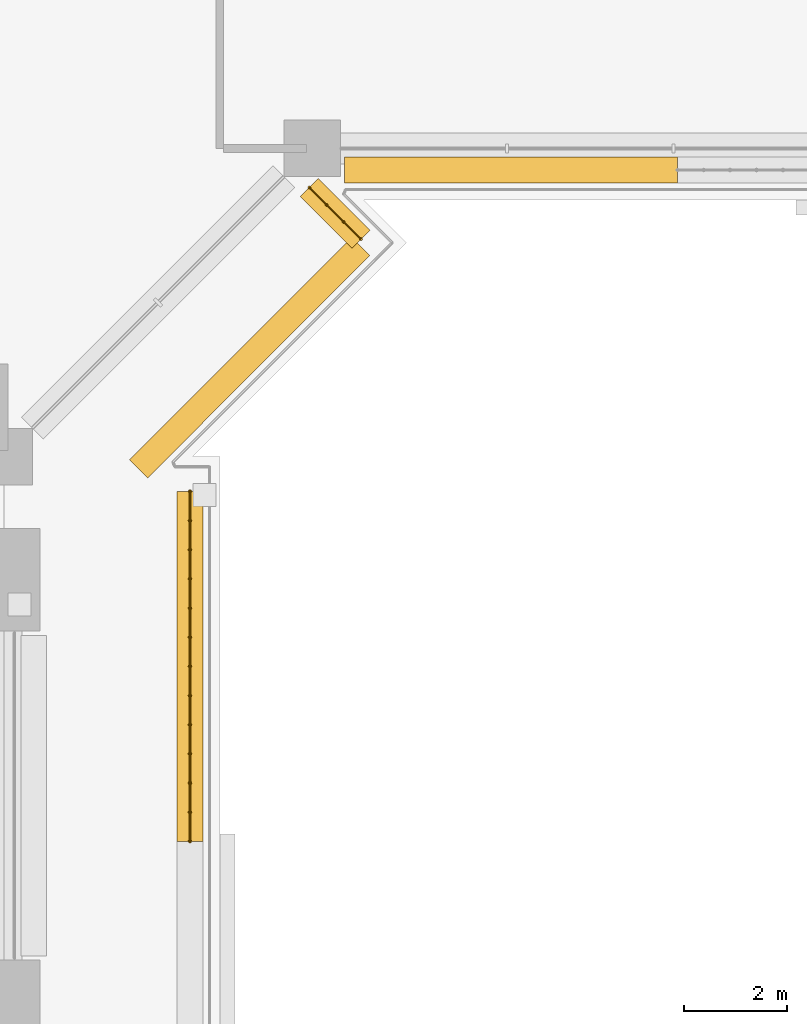
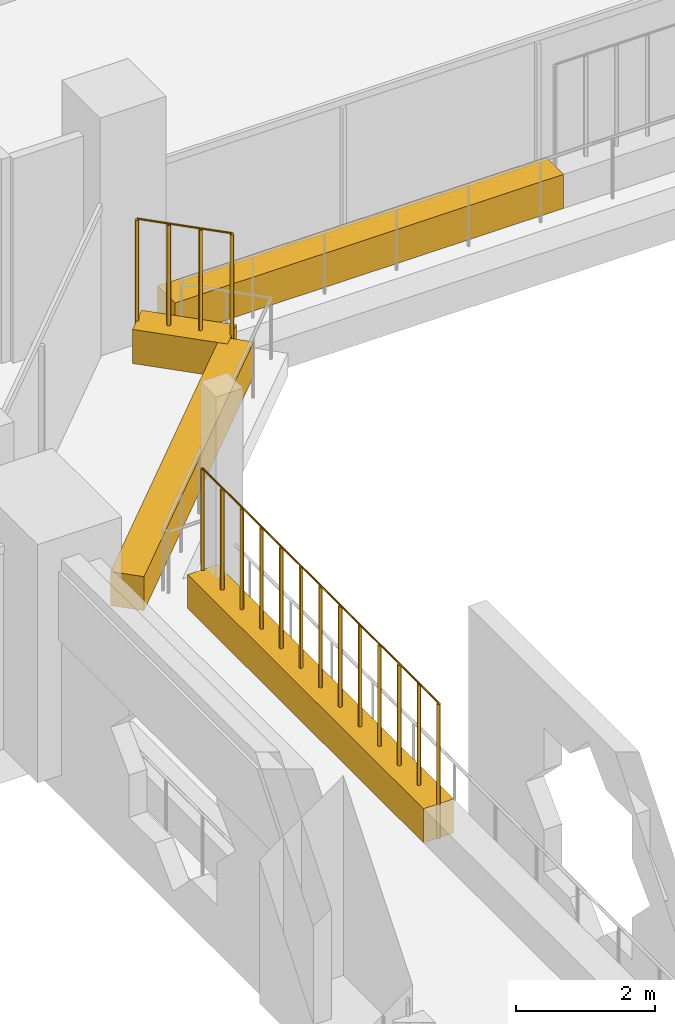
# One storey, part 23 of 27: 4 coverings, 2 railings.
"""IFC4 building model written with IfcOpenShell, lengths in metres."""

import ifcopenshell
import ifcopenshell.guid

model = None  # the IFC model being written
_history = None  # IfcOwnerHistory: only IFC2X3 demands one
_inside = {}  # id of a spatial element -> (the spatial element, [elements in it])
_under = {}  # id of a project, library or spatial element -> (it, [spatial elements below it])
_declared = {}  # id of a project -> (the project, [libraries it declares])
_typed = {}  # id of a type object -> (the type object, [elements of that type])
_made_of = {}  # id of a material, layer set ... -> (it, [elements and type objects made of it])


def new_model(schema):
    """Start an empty IFC model of exactly this schema.

    Asked for "IFC4X3", IfcOpenShell would pick the latest addendum, in which some entities
    have other attributes; the version numbers below select the first issue.
    IFC2X3 requires an IfcOwnerHistory on every rooted entity: one is made here for all.
    """
    global model, _history
    if schema == "IFC4X3":
        model = ifcopenshell.file(schema_version=(4, 3, 0, 0))
    else:
        model = ifcopenshell.file(schema=schema)
    _inside.clear()
    _under.clear()
    _declared.clear()
    _typed.clear()
    _made_of.clear()
    _history = None
    if model.schema == "IFC2X3":
        org = make("IfcOrganization", Name="unknown")
        user = make(
            "IfcPersonAndOrganization",
            ThePerson=make("IfcPerson", FamilyName="unknown"),
            TheOrganization=org,
        )
        app = make(
            "IfcApplication",
            ApplicationDeveloper=org,
            Version="unknown",
            ApplicationFullName="unknown",
            ApplicationIdentifier="unknown",
        )
        _history = make(
            "IfcOwnerHistory",
            OwningUser=user,
            OwningApplication=app,
            ChangeAction="ADDED",
            CreationDate=0,
        )
    return model


def make(cls, **values):
    """One entity of the class cls with the attributes given. An attribute that is None is left unset."""
    return model.create_entity(
        cls, **{name: value for name, value in values.items() if value is not None}
    )


def rooted(cls, **values):
    """An entity with a GlobalId (a new one), such as an element, a storey or a relation."""
    return make(cls, GlobalId=ifcopenshell.guid.new(), OwnerHistory=_history, **values)


def si_unit(unit_type, name, prefix=None):
    """IfcSIUnit, for example si_unit("LENGTHUNIT", "METRE", prefix="MILLI")."""
    return make("IfcSIUnit", UnitType=unit_type, Prefix=prefix, Name=name)


def assignment(units):
    """IfcUnitAssignment: the units of a project."""
    return None if units is None else make("IfcUnitAssignment", Units=units)


def point(xyz):
    """IfcCartesianPoint."""
    return None if xyz is None else make("IfcCartesianPoint", Coordinates=xyz)


def direction(xyz):
    """IfcDirection."""
    return None if xyz is None else make("IfcDirection", DirectionRatios=xyz)


def frame(location, z_axis=None, x_axis=None):
    """IfcAxis2Placement3D, a coordinate frame: its origin and axes. An axis left out is left unset."""
    return make(
        "IfcAxis2Placement3D",
        Location=point(location),
        Axis=direction(z_axis),
        RefDirection=direction(x_axis),
    )


def frame_2d(location, x_axis=None):
    """IfcAxis2Placement2D, a coordinate frame in the plane: its origin and x axis."""
    return make(
        "IfcAxis2Placement2D", Location=point(location), RefDirection=direction(x_axis)
    )


def origin():
    """The frame at (0, 0, 0) with its axes left unset."""
    return frame((0.0, 0.0, 0.0))


def origin_2d():
    """The frame at (0, 0) in the plane with its x axis left unset."""
    return frame_2d((0.0, 0.0))


def place(relative_to, where):
    """IfcLocalPlacement: puts the frame where relative to a parent placement (None: the world)."""
    return make(
        "IfcLocalPlacement", PlacementRelTo=relative_to, RelativePlacement=where
    )


def context(
    kind, dimensions, precision=None, world=None, true_north=None, identifier=None
):
    """IfcGeometricRepresentationContext, for example the 3D "Model" context."""
    return make(
        "IfcGeometricRepresentationContext",
        ContextIdentifier=identifier,
        ContextType=kind,
        CoordinateSpaceDimension=dimensions,
        Precision=precision,
        WorldCoordinateSystem=world,
        TrueNorth=true_north,
    )


def subcontext(parent, identifier, kind, view, scale=None):
    """IfcGeometricRepresentationSubContext, for example "Body" below "Model"."""
    return make(
        "IfcGeometricRepresentationSubContext",
        ContextIdentifier=identifier,
        ContextType=kind,
        ParentContext=parent,
        TargetScale=scale,
        TargetView=view,
    )


def project(units=None, contexts=None):
    """IfcProject with its units and contexts."""
    return rooted(
        "IfcProject",
        Name="project",
        RepresentationContexts=contexts,
        UnitsInContext=assignment(units),
    )


def spatial(cls, under=None, at=None, **own):
    """A site, building, storey or space (cls), placed at a placement, below another one or the project."""
    s = rooted(cls, ObjectPlacement=at, **own)
    if under is not None:
        _under.setdefault(under.id(), (under, []))[1].append(s)
    return s


def profile(cls, at=None, kind="AREA", **sizes):
    """A parametric profile (cls). Its sizes go by their IFC names, for example OverallWidth=200.0."""
    return make(cls, ProfileType=kind, Position=at, **sizes)


def rectangle(**sizes):
    """IfcRectangleProfileDef."""
    return profile("IfcRectangleProfileDef", **sizes)


def circle(**sizes):
    """IfcCircleProfileDef."""
    return profile("IfcCircleProfileDef", **sizes)


def extrude(swept, where, along, depth):
    """IfcExtrudedAreaSolid: the profile swept, set in the frame where, extruded along a direction by depth."""
    return make(
        "IfcExtrudedAreaSolid",
        SweptArea=swept,
        Position=where,
        ExtrudedDirection=direction(along),
        Depth=depth,
    )


def shape(context_of_items, identifier, shape_type, items):
    """IfcShapeRepresentation: the items that make up one representation, for example the "Body"."""
    return make(
        "IfcShapeRepresentation",
        ContextOfItems=context_of_items,
        RepresentationIdentifier=identifier,
        RepresentationType=shape_type,
        Items=items,
    )


def material(Name=None, Category=None):
    """IfcMaterial."""
    return make("IfcMaterial", Name=Name, Category=Category)


def material_profile(
    of_material, cross_section, Name=None, Category=None, Priority=None
):
    """IfcMaterialProfile: a cross section and its material."""
    return make(
        "IfcMaterialProfile",
        Name=Name,
        Material=of_material,
        Profile=cross_section,
        Priority=Priority,
        Category=Category,
    )


def profile_set(profiles, Name=None, composite=None):
    """IfcMaterialProfileSet."""
    return make(
        "IfcMaterialProfileSet",
        Name=Name,
        MaterialProfiles=profiles,
        CompositeProfile=composite,
    )


def made_of(thing, what):
    """Note that an element or type object is made of a material, layer set ...; save() writes the relation."""
    if what is not None:
        _made_of.setdefault(what.id(), (what, []))[1].append(thing)
    return thing


def type_object(cls, material=None, **own):
    """A type object (cls), such as IfcWallType, which elements share."""
    return made_of(rooted(cls, **own), material)


def element(
    cls,
    number,
    at=None,
    inside=None,
    cuts=None,
    type_object=None,
    material=None,
    context=None,
    identifier="Body",
    shape_type=None,
    held_by="IfcProductDefinitionShape",
    body=None,
    shapes=None,
    **own,
):
    """One element of the class cls, such as IfcWall. Its Tag is "e" and its number.

    at: its placement. inside: the storey or other place that contains it. cuts: it is an
    opening in that element (IfcRelVoidsElement). A single representation is given by context,
    identifier, shape_type and body (its items); several are given by shapes. held_by: the class
    of the entity that holds the representations. save() writes the other relations.
    """
    e = rooted(cls, Tag="e%d" % number, ObjectPlacement=at, **own)
    if body is not None:
        shapes = [shape(context, identifier, shape_type, body)]
    if shapes is not None:
        e.Representation = make(held_by, Representations=shapes)
    if inside is not None:
        _inside.setdefault(inside.id(), (inside, []))[1].append(e)
    if cuts is not None:
        rooted(
            "IfcRelVoidsElement", RelatingBuildingElement=cuts, RelatedOpeningElement=e
        )
    if type_object is not None:
        _typed.setdefault(type_object.id(), (type_object, []))[1].append(e)
    return made_of(e, material)


def aggregate(whole, parts):
    """IfcRelAggregates: a whole, such as a stair, and the parts it consists of."""
    return rooted("IfcRelAggregates", RelatingObject=whole, RelatedObjects=parts)


def save(model, path):
    """Write the relations noted so far, then the file.

    IfcRelAggregates (storeys below a building ...), IfcRelContainedInSpatialStructure (elements
    in a storey), IfcRelDefinesByType, IfcRelAssociatesMaterial and IfcRelDeclares: one each for
    every whole, place, type object, material and project.
    """
    for whole, parts in _under.values():
        aggregate(whole, parts)
    for where, things in _inside.values():
        rooted(
            "IfcRelContainedInSpatialStructure",
            RelatedElements=things,
            RelatingStructure=where,
        )
    for kind, things in _typed.values():
        rooted("IfcRelDefinesByType", RelatedObjects=things, RelatingType=kind)
    for what, things in _made_of.values():
        rooted("IfcRelAssociatesMaterial", RelatedObjects=things, RelatingMaterial=what)
    for by, libraries in _declared.values():
        rooted("IfcRelDeclares", RelatingContext=by, RelatedDefinitions=libraries)
    model.write(path)


model = new_model("IFC4")

# Units and contexts
model_context = context("Model", 3, precision=1e-05, world=origin(), true_north=direction((0.0, 1.0)))
body_context = subcontext(model_context, "Body", "Model", "MODEL_VIEW")
ifc_project = project(units=[si_unit("LENGTHUNIT", "METRE"), si_unit("AREAUNIT", "SQUARE_METRE"), si_unit("VOLUMEUNIT", "CUBIC_METRE"), si_unit("PLANEANGLEUNIT", "RADIAN"), si_unit("MASSUNIT", "GRAM", prefix="KILO")], contexts=[model_context])

# Site, building, storey
site_placement = place(None, origin())
site = spatial("IfcSite", under=ifc_project, at=site_placement, CompositionType="ELEMENT")
building_placement = place(site_placement, origin())
building = spatial("IfcBuilding", under=site, at=building_placement, Name="Kawkab Arch Medical Tower", CompositionType="ELEMENT")
storey_placement = place(building_placement, frame((0.0, 0.0, 103.0)))
storey = spatial("IfcBuildingStorey", under=building, at=storey_placement, Name="L23", CompositionType="ELEMENT", Elevation=103.0)

# Coverings
ifc_material_1 = material(Name="Planting soil in a precast trough", Category="concrete")
ifc_material_profile = material_profile(ifc_material_1, rectangle(XDim=0.5, YDim=0.60009765625, at=origin_2d()), Name="Trough 500x600")
ifc_profile_set = profile_set([ifc_material_profile], Name="Planting soil in a precast trough")
covering_type = type_object("IfcCoveringType", Name="Planter trough 500 x 600", PredefinedType="USERDEFINED", material=ifc_profile_set)
covering_1_placement = place(storey_placement, frame((38.30810546875, -25.6201171875, 0.300048828125), z_axis=(-1.0, 0.0, 0.0), x_axis=(0.0, -1.0, 0.0)))
element("IfcCovering", 1, at=covering_1_placement, inside=storey, type_object=covering_type, Name="Planter L23.LOG-01-02.42", ObjectType="PLANTER", PredefinedType="USERDEFINED", context=body_context, shape_type="SweptSolid", body=[
    extrude(rectangle(XDim=0.5, YDim=0.60009765625, at=origin_2d()), origin(), (0.0, 0.0, 1.0), 6.47802734375),
])
covering_2_placement = place(storey_placement, frame((31.14306640625, -25.962890625, 0.300048828125), z_axis=(0.707020805532, -0.707192746389, 0.0), x_axis=(0.707192746389, 0.707020805532, 0.0)))
element("IfcCovering", 2, at=covering_2_placement, inside=storey, type_object=covering_type, Name="Planter L23.LOG-01-02.43", ObjectType="PLANTER", PredefinedType="USERDEFINED", context=body_context, shape_type="SweptSolid", body=[
    extrude(rectangle(XDim=0.5, YDim=0.60009765625, at=origin_2d()), origin(), (0.0, 0.0, 1.0), 1.419921875),
])
covering_3_placement = place(storey_placement, frame((32.14697265625, -27.10888671875, 0.300048828125), z_axis=(-0.707007043994, -0.707206504313, 0.0), x_axis=(0.707206504313, -0.707007043994, 0.0)))
element("IfcCovering", 3, at=covering_3_placement, inside=storey, type_object=covering_type, Name="Planter L23.LOG-01-02.44", ObjectType="PLANTER", PredefinedType="USERDEFINED", context=body_context, shape_type="SweptSolid", body=[
    extrude(rectangle(XDim=0.5, YDim=0.60009765625, at=origin_2d()), origin(), (0.0, 0.0, 1.0), 6.1201171875),
])
covering_4_placement = place(storey_placement, frame((28.820068359375, -31.8798828125, 0.300048828125), z_axis=(0.0, -1.0, 0.0), x_axis=(1.0, 0.0, 0.0)))
element("IfcCovering", 4, at=covering_4_placement, inside=storey, type_object=covering_type, Name="Planter L23.LOG-01-02.45", ObjectType="PLANTER", PredefinedType="USERDEFINED", context=body_context, shape_type="SweptSolid", body=[
    extrude(rectangle(XDim=0.5, YDim=0.60009765625, at=origin_2d()), origin(), (0.0, 0.0, 1.0), 6.81201171875),
])

# Railings
ifc_material_2 = material(Name="Bronze anodised aluminium trellis for climbing plants", Category="aluminium")
railing_type = type_object("IfcRailingType", Name="Planting trellis 2400", PredefinedType="USERDEFINED", material=ifc_material_2)
railing_1_placement = place(storey_placement, frame((31.14306640625, -25.962890625, 0.0)))
element("IfcRailing", 5, at=railing_1_placement, inside=storey, type_object=railing_type, Name="Planting trellis L23.LOG-01-02.43", ObjectType="TRELLIS", PredefinedType="USERDEFINED", context=body_context, shape_type="SweptSolid", body=[
    extrude(circle(Radius=0.01513671875, at=origin_2d()), frame((0.0, 0.0, 2.384765625), z_axis=(0.707020805532, -0.707192746389, 0.0), x_axis=(0.707192746389, 0.707020805532, 0.0)), (0.0, 0.0, 1.0), 1.419921875),
    extrude(circle(Radius=0.030029296875, at=origin_2d()), origin(), (0.0, 0.0, 1.0), 2.369873046875),
    extrude(circle(Radius=0.030029296875, at=origin_2d()), frame((0.334716796875, -0.334716796875, 0.0)), (0.0, 0.0, 1.0), 2.369873046875),
    extrude(circle(Radius=0.030029296875, at=origin_2d()), frame((0.669189453125, -0.66943359375, 0.0)), (0.0, 0.0, 1.0), 2.369873046875),
    extrude(circle(Radius=0.030029296875, at=origin_2d()), frame((1.00390625, -1.004150390625, 0.0)), (0.0, 0.0, 1.0), 2.369873046875),
])
railing_2_placement = place(storey_placement, frame((28.820068359375, -31.8798828125, 0.0)))
element("IfcRailing", 6, at=railing_2_placement, inside=storey, type_object=railing_type, Name="Planting trellis L23.LOG-01-02.45", ObjectType="TRELLIS", PredefinedType="USERDEFINED", context=body_context, shape_type="SweptSolid", body=[
    extrude(circle(Radius=0.01513671875, at=origin_2d()), frame((0.0, 0.0, 2.384765625), z_axis=(0.0, -1.0, 0.0), x_axis=(1.0, 0.0, 0.0)), (0.0, 0.0, 1.0), 6.81201171875),
    extrude(circle(Radius=0.030029296875, at=origin_2d()), origin(), (0.0, 0.0, 1.0), 2.369873046875),
    extrude(circle(Radius=0.030029296875, at=origin_2d()), frame((0.0, -0.567626953125, 0.0)), (0.0, 0.0, 1.0), 2.369873046875),
    extrude(circle(Radius=0.030029296875, at=origin_2d()), frame((0.0, -1.13525390625, 0.0)), (0.0, 0.0, 1.0), 2.369873046875),
    extrude(circle(Radius=0.030029296875, at=origin_2d()), frame((0.0, -1.703125, 0.0)), (0.0, 0.0, 1.0), 2.369873046875),
    extrude(circle(Radius=0.030029296875, at=origin_2d()), frame((0.0, -2.270751953125, 0.0)), (0.0, 0.0, 1.0), 2.369873046875),
    extrude(circle(Radius=0.030029296875, at=origin_2d()), frame((0.0, -2.83837890625, 0.0)), (0.0, 0.0, 1.0), 2.369873046875),
    extrude(circle(Radius=0.030029296875, at=origin_2d()), frame((0.0, -3.406005859375, 0.0)), (0.0, 0.0, 1.0), 2.369873046875),
    extrude(circle(Radius=0.030029296875, at=origin_2d()), frame((0.0, -3.9736328125, 0.0)), (0.0, 0.0, 1.0), 2.369873046875),
    extrude(circle(Radius=0.030029296875, at=origin_2d()), frame((0.0, -4.541259765625, 0.0)), (0.0, 0.0, 1.0), 2.369873046875),
    extrude(circle(Radius=0.030029296875, at=origin_2d()), frame((0.0, -5.10888671875, 0.0)), (0.0, 0.0, 1.0), 2.369873046875),
    extrude(circle(Radius=0.030029296875, at=origin_2d()), frame((0.0, -5.6767578125, 0.0)), (0.0, 0.0, 1.0), 2.369873046875),
    extrude(circle(Radius=0.030029296875, at=origin_2d()), frame((0.0, -6.244384765625, 0.0)), (0.0, 0.0, 1.0), 2.369873046875),
    extrude(circle(Radius=0.030029296875, at=origin_2d()), frame((0.0, -6.81201171875, 0.0)), (0.0, 0.0, 1.0), 2.369873046875),
])

save(model, "model.ifc")
